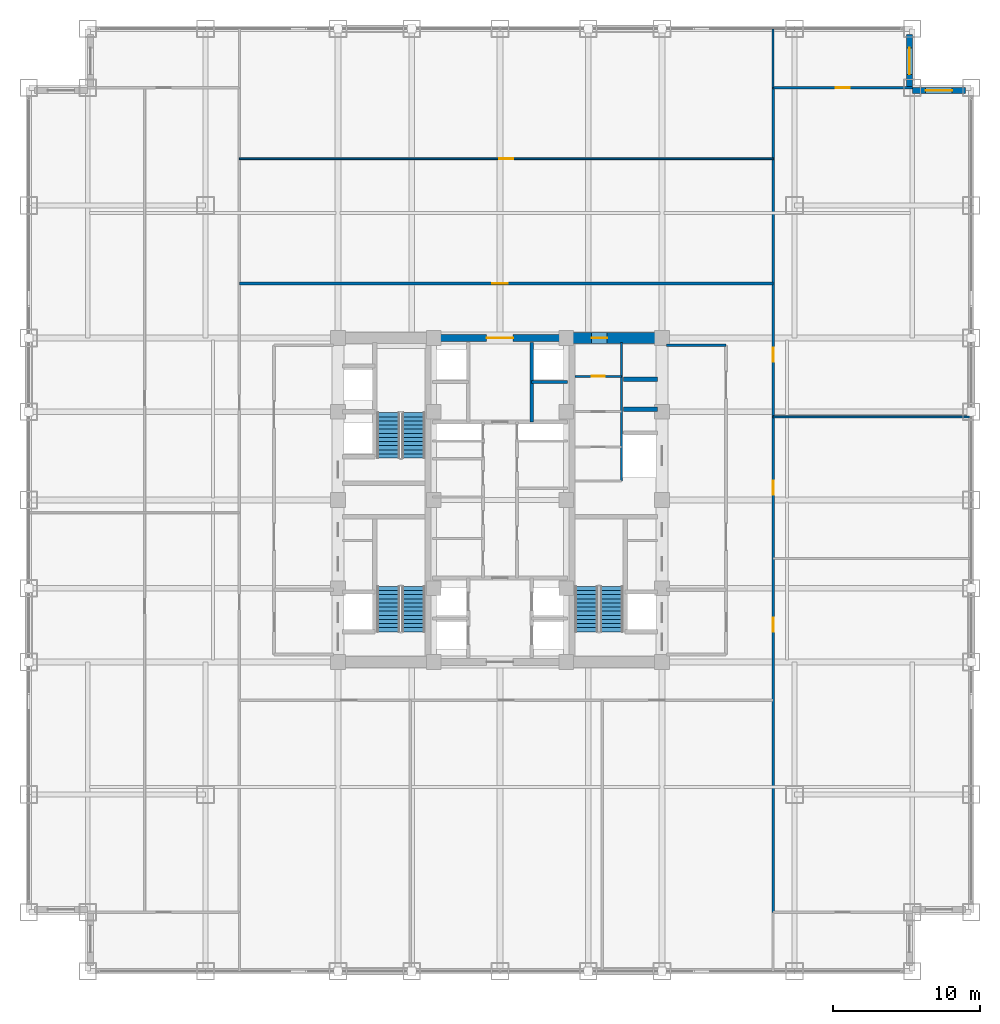
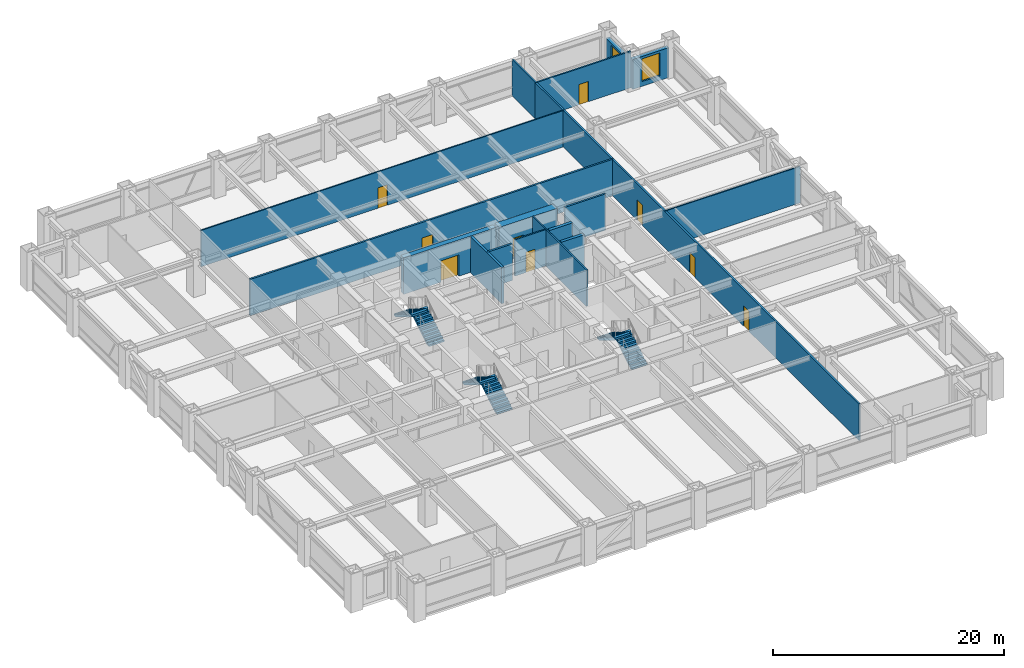
# One storey, part 26 of 27: 17 walls, 9 doors, 6 stair flights, 2 windows, 11 openings, 3 elements without a shape of their own.
"""IFC4 building model written with IfcOpenShell, lengths in metres."""

from ifc_helpers import new_model, si_unit, direction, frame, frame_2d, origin, place, context, subcontext, project, spatial, polyline, rectangle, outline, extrude, source, transform, mapped, material, layer, layer_set, type_object, element, fill, aggregate, save


model = new_model("IFC4")

# Units and contexts
model_context = context("Model", 3, precision=1e-05, world=origin(), true_north=direction((0.0, 1.0)))
body_context = subcontext(model_context, "Body", "Model", "MODEL_VIEW")
ifc_project = project(units=[si_unit("LENGTHUNIT", "METRE"), si_unit("AREAUNIT", "SQUARE_METRE"), si_unit("VOLUMEUNIT", "CUBIC_METRE"), si_unit("PLANEANGLEUNIT", "RADIAN"), si_unit("MASSUNIT", "GRAM", prefix="KILO")], contexts=[model_context])

# Site, building, storey
site_placement = place(None, origin())
site = spatial("IfcSite", under=ifc_project, at=site_placement, CompositionType="ELEMENT")
building_placement = place(site_placement, origin())
building = spatial("IfcBuilding", under=site, at=building_placement, Name="Khorayat Bourse Tower", CompositionType="ELEMENT")
storey_placement = place(building_placement, frame((0.0, 0.0, 103.699951171875)))
storey = spatial("IfcBuildingStorey", under=building, at=storey_placement, Name="L23", CompositionType="ELEMENT", Elevation=103.699951171875)

# Wall, opening, door
ifc_material_1 = material(Name="Concrete C72/90", Category="concrete")
ifc_layer_1 = layer(ifc_material_1, 0.75)
ifc_layer_set_1 = layer_set([ifc_layer_1], Name="Concrete C72/90")
wall_type_1 = type_object("IfcWallType", Name="WAL-CORE-750", PredefinedType="SHEAR", material=ifc_layer_set_1)
shared_shape_1 = source(origin(), body_context, "Body", "SweptSolid", [
    extrude(rectangle(XDim=5.849853515625, YDim=0.75, at=frame_2d((2.9248046875, 0.0))), origin(), (0.0, 0.0, 1.0), 3.840087890625),
])
wall_1_placement = place(storey_placement, frame((4.85009765625, 11.0, 0.0), z_axis=(0.0, 0.0, 1.0), x_axis=(1.0, 0.0, 0.0)))
wall_1 = element("IfcWall", 1, at=wall_1_placement, inside=storey, type_object=wall_type_1, Name="L23 Core Shear Wall PIER-EN", PredefinedType="SHEAR", context=body_context, shape_type="MappedRepresentation", body=[
    mapped(shared_shape_1, transform((0.0, 0.0, 0.0), scale=1.0)),
])
shared_shape_2 = source(origin(), body_context, "Body", "SweptSolid", [
    extrude(rectangle(XDim=1.050048828125, YDim=2.199951171875, at=frame_2d((0.52490234375, 1.10009765625))), frame((0.0, 0.385009765625, 0.0), z_axis=(0.0, -1.0, 0.0), x_axis=(1.0, 0.0, 0.0)), (0.0, 0.0, 1.0), 0.77001953125),
])
opening_1_placement = place(wall_1_placement, frame((1.375, 0.0, 0.0)))
opening_1 = element("IfcOpeningElement", 2, at=opening_1_placement, cuts=wall_1, Name="Opening DI-04", PredefinedType="OPENING", context=body_context, shape_type="MappedRepresentation", body=[
    mapped(shared_shape_2, transform((0.0, 0.0, 0.0), scale=1.0)),
])
ifc_material_2 = material(Name="Fire-rated oak veneer suite entrance door")
door_type_1 = type_object("IfcDoorType", Name="DR-INT-SUITE-1050", OperationType="NOTDEFINED", PredefinedType="DOOR", material=ifc_material_2)
shared_shape_3 = source(origin(), body_context, "Body", "SweptSolid", [
    extrude(rectangle(XDim=1.050048828125, YDim=2.199951171875, at=frame_2d((0.52490234375, 1.10009765625))), frame((0.0, 0.02490234375, 0.0), z_axis=(0.0, -1.0, 0.0), x_axis=(1.0, 0.0, 0.0)), (0.0, 0.0, 1.0), 0.050048828125),
])
door_1_placement = place(opening_1_placement, origin())
door_1 = element("IfcDoor", 3, at=door_1_placement, inside=storey, type_object=door_type_1, Name="L23 Core Washroom Lobby Door", OperationType="SINGLE_SWING_LEFT", OverallHeight=2.199951171875, OverallWidth=1.050048828125, PredefinedType="DOOR", context=body_context, shape_type="MappedRepresentation", body=[
    mapped(shared_shape_3, transform((0.0, 0.0, 0.0), scale=1.0)),
])
fill(opening_1, door_1)

ifc_material_3 = material(Name="Concrete C52/65", Category="concrete")
ifc_layer_2 = layer(ifc_material_3, 0.5)
ifc_layer_set_2 = layer_set([ifc_layer_2], Name="Concrete C52/65")
wall_type_2 = type_object("IfcWallType", Name="WAL-CORE-500", PredefinedType="SHEAR", material=ifc_layer_set_2)
shared_shape_4 = source(origin(), body_context, "Body", "SweptSolid", [
    extrude(rectangle(XDim=9.2001953125, YDim=0.5, at=frame_2d((4.60009765625, 0.0))), origin(), (0.0, 0.0, 1.0), 3.840087890625),
])
wall_2_placement = place(storey_placement, frame((-4.60009765625, 11.0, 0.0), z_axis=(0.0, 0.0, 1.0), x_axis=(1.0, 0.0, 0.0)))
wall_2 = element("IfcWall", 4, at=wall_2_placement, inside=storey, type_object=wall_type_2, Name="L23 Core Shear Wall CORE-N", PredefinedType="SHEAR", context=body_context, shape_type="MappedRepresentation", body=[
    mapped(shared_shape_4, transform((0.0, 0.0, 0.0), scale=1.0)),
])
shared_shape_5 = source(origin(), body_context, "Body", "SweptSolid", [
    extrude(rectangle(XDim=1.800048828125, YDim=2.25, at=frame_2d((0.89990234375, 1.125))), frame((0.0, 0.260009765625, 0.0), z_axis=(0.0, -1.0, 0.0), x_axis=(1.0, 0.0, 0.0)), (0.0, 0.0, 1.0), 0.52001953125),
])
opening_2_placement = place(wall_2_placement, frame((3.699951171875, 0.0, 0.0)))
opening_2 = element("IfcOpeningElement", 5, at=opening_2_placement, cuts=wall_2, Name="Opening DI-03", PredefinedType="OPENING", context=body_context, shape_type="MappedRepresentation", body=[
    mapped(shared_shape_5, transform((0.0, 0.0, 0.0), scale=1.0)),
])
ifc_material_4 = material(Name="Fire-rated hardwood vision-panel double leaf", Category="wood")
door_type_2 = type_object("IfcDoorType", Name="DR-INT-CORR-1800", OperationType="NOTDEFINED", PredefinedType="DOOR", material=ifc_material_4)
shared_shape_6 = source(origin(), body_context, "Body", "SweptSolid", [
    extrude(rectangle(XDim=1.800048828125, YDim=2.25, at=frame_2d((0.89990234375, 1.125))), frame((0.0, 0.02490234375, 0.0), z_axis=(0.0, -1.0, 0.0), x_axis=(1.0, 0.0, 0.0)), (0.0, 0.0, 1.0), 0.050048828125),
])
door_2_placement = place(opening_2_placement, origin())
door_2 = element("IfcDoor", 6, at=door_2_placement, inside=storey, type_object=door_type_2, Name="L23 Mid-Rise Lift Lobby Door", OperationType="SINGLE_SWING_RIGHT", OverallHeight=2.25, OverallWidth=1.800048828125, PredefinedType="DOOR", context=body_context, shape_type="MappedRepresentation", body=[
    mapped(shared_shape_6, transform((0.0, 0.0, 0.0), scale=1.0)),
])
fill(opening_2, door_2)

# Wall, opening, window
ifc_material_5 = material(Name="Precast concrete C45/55", Category="concrete")
ifc_layer_3 = layer(ifc_material_5, 0.3798828125)
ifc_layer_set_3 = layer_set([ifc_layer_3], Name="Precast concrete C45/55")
wall_type_3 = type_object("IfcWallType", Name="WAL-EXT-STONE-380", PredefinedType="STANDARD", material=ifc_layer_set_3)
shared_shape_7 = source(origin(), body_context, "Body", "SweptSolid", [
    extrude(rectangle(XDim=3.6201171875, YDim=0.3798828125, at=frame_2d((1.81005859375, 0.0))), origin(), (0.0, 0.0, 1.0), 3.14501953125),
])
wall_3_placement = place(storey_placement, frame((28.0, 27.81005859375, 0.0), z_axis=(0.0, 0.0, 1.0), x_axis=(1.0, 0.0, 0.0)))
wall_3 = element("IfcWall", 7, at=wall_3_placement, inside=storey, type_object=wall_type_3, Name="L23 Re-Entrant Notch Limestone Wall NE-H", PredefinedType="STANDARD", context=body_context, shape_type="MappedRepresentation", body=[
    mapped(shared_shape_7, transform((0.0, 0.0, 0.0), scale=1.0)),
])
shared_shape_8 = source(origin(), body_context, "Body", "SweptSolid", [
    extrude(rectangle(XDim=1.800048828125, YDim=2.39990234375, at=frame_2d((0.89990234375, 1.199951171875))), frame((0.0, 0.199951171875, 0.0), z_axis=(0.0, -1.0, 0.0), x_axis=(1.0, 0.0, 0.0)), (0.0, 0.0, 1.0), 0.39990234375),
])
opening_3_placement = place(wall_3_placement, frame((0.909912109375, 0.0, 0.5)))
opening_3 = element("IfcOpeningElement", 8, at=opening_3_placement, cuts=wall_3, Name="Opening WN-04", PredefinedType="OPENING", context=body_context, shape_type="MappedRepresentation", body=[
    mapped(shared_shape_8, transform((0.0, 0.0, 0.0), scale=1.0)),
])
ifc_material_6 = material(Name="Low-E acoustic laminated double glazing", Category="glass")
window_type = type_object("IfcWindowType", Name="WIN-NOTCH-1800x2400", PartitioningType="SINGLE_PANEL", PredefinedType="WINDOW", material=ifc_material_6)
shared_shape_9 = source(origin(), body_context, "Body", "SweptSolid", [
    extrude(rectangle(XDim=1.800048828125, YDim=2.39990234375, at=frame_2d((0.89990234375, 1.199951171875))), frame((0.0, 0.030029296875, 0.0), z_axis=(0.0, -1.0, 0.0), x_axis=(1.0, 0.0, 0.0)), (0.0, 0.0, 1.0), 0.06005859375),
])
window_1_placement = place(opening_3_placement, origin())
window_1 = element("IfcWindow", 9, at=window_1_placement, inside=storey, type_object=window_type, Name="L23 Facade Window 1", OverallHeight=2.39990234375, OverallWidth=1.800048828125, PartitioningType="SINGLE_PANEL", PredefinedType="WINDOW", context=body_context, shape_type="MappedRepresentation", body=[
    mapped(shared_shape_9, transform((0.0, 0.0, 0.0), scale=1.0)),
])
fill(opening_3, window_1)

wall_4_placement = place(storey_placement, frame((27.81005859375, 28.0, 0.0), z_axis=(0.0, 0.0, 1.0), x_axis=(0.0, 1.0, 0.0)))
wall_4 = element("IfcWall", 10, at=wall_4_placement, inside=storey, type_object=wall_type_3, Name="L23 Re-Entrant Notch Limestone Wall NE-V", PredefinedType="STANDARD", context=body_context, shape_type="MappedRepresentation", body=[
    mapped(shared_shape_7, transform((0.0, 0.0, 0.0), scale=1.0)),
])
opening_4_placement = place(wall_4_placement, frame((0.909912109375, 0.0, 0.5)))
opening_4 = element("IfcOpeningElement", 11, at=opening_4_placement, cuts=wall_4, Name="Opening WN-04", PredefinedType="OPENING", context=body_context, shape_type="MappedRepresentation", body=[
    mapped(shared_shape_8, transform((0.0, 0.0, 0.0), scale=1.0)),
])
window_2_placement = place(opening_4_placement, origin())
window_2 = element("IfcWindow", 12, at=window_2_placement, inside=storey, type_object=window_type, Name="L23 Facade Window 1", OverallHeight=2.39990234375, OverallWidth=1.800048828125, PartitioningType="SINGLE_PANEL", PredefinedType="WINDOW", context=body_context, shape_type="MappedRepresentation", body=[
    mapped(shared_shape_9, transform((0.0, 0.0, 0.0), scale=1.0)),
])
fill(opening_4, window_2)

# Walls
ifc_material_7 = material(Name="Concrete C50/60", Category="concrete")
ifc_layer_4 = layer(ifc_material_7, 0.300048828125)
ifc_layer_set_4 = layer_set([ifc_layer_4], Name="Concrete C50/60")
wall_type_4 = type_object("IfcWallType", Name="WAL-SHAFT-300", PredefinedType="SHEAR", material=ifc_layer_set_4)
shared_shape_10 = source(origin(), body_context, "Body", "SweptSolid", [
    extrude(rectangle(XDim=2.300048828125, YDim=0.300048828125, at=frame_2d((1.14990234375, 0.0))), origin(), (0.0, 0.0, 1.0), 3.840087890625),
])
for number, where, z_axis, x_axis, name in (
    (13, (8.39990234375, 6.14990234375, 0.0), (0.0, 0.0, 1.0), (1.0, 0.0, 0.0), "L23 Partition WAL-L23-EPIER-H3S"),
    (14, (8.39990234375, 8.199951171875, 0.0), (0.0, 0.0, 1.0), (1.0, 0.0, 0.0), "L23 Partition WAL-L23-EPIER-H34"),
):
    element("IfcWall", number, at=place(storey_placement, frame(where, z_axis=z_axis, x_axis=x_axis)), inside=storey, type_object=wall_type_4, Name=name, PredefinedType="SHEAR", context=body_context, shape_type="MappedRepresentation", body=[
        mapped(shared_shape_10, transform((0.0, 0.0, 0.0), scale=1.0)),
    ])
ifc_material_8 = material(Name="Moisture-resistant masonry partition", Category="masonry")
ifc_layer_5 = layer(ifc_material_8, 0.139892578125)
ifc_layer_set_5 = layer_set([ifc_layer_5], Name="Moisture-resistant masonry partition")
wall_type_5 = type_object("IfcWallType", Name="WAL-PART-WET-140", PredefinedType="PARTITIONING", material=ifc_layer_set_5)
shared_shape_11 = source(origin(), body_context, "Body", "SweptSolid", [
    extrude(rectangle(XDim=9.39990234375, YDim=0.139892578125, at=frame_2d((4.699951171875, 0.0))), origin(), (0.0, 0.0, 1.0), 3.840087890625),
])
wall_5_placement = place(storey_placement, frame((8.25, 1.300048828125, 0.0), z_axis=(0.0, 0.0, 1.0), x_axis=(0.0, 1.0, 0.0)))
element("IfcWall", 15, at=wall_5_placement, inside=storey, type_object=wall_type_5, Name="L23 Partition WAL-L23-ECORE-E", PredefinedType="PARTITIONING", context=body_context, shape_type="MappedRepresentation", body=[
    mapped(shared_shape_11, transform((0.0, 0.0, 0.0), scale=1.0)),
])

# Wall, opening, door
shared_shape_12 = source(origin(), body_context, "Body", "SweptSolid", [
    extrude(rectangle(XDim=3.14990234375, YDim=0.139892578125, at=frame_2d((1.574951171875, 0.0))), origin(), (0.0, 0.0, 1.0), 3.840087890625),
])
wall_6_placement = place(storey_placement, frame((5.10009765625, 8.39990234375, 0.0), z_axis=(0.0, 0.0, 1.0), x_axis=(1.0, 0.0, 0.0)))
wall_6 = element("IfcWall", 16, at=wall_6_placement, inside=storey, type_object=wall_type_5, Name="L23 Partition WAL-L23-ECW-TOP", PredefinedType="PARTITIONING", context=body_context, shape_type="MappedRepresentation", body=[
    mapped(shared_shape_12, transform((0.0, 0.0, 0.0), scale=1.0)),
])
shared_shape_13 = source(origin(), body_context, "Body", "SweptSolid", [
    extrude(rectangle(XDim=0.89990234375, YDim=2.14990234375, at=frame_2d((0.449951171875, 1.074951171875))), frame((0.0, 0.079833984375, 0.0), z_axis=(0.0, -1.0, 0.0), x_axis=(1.0, 0.0, 0.0)), (0.0, 0.0, 1.0), 0.159912109375),
])
opening_5_placement = place(wall_6_placement, frame((1.1298828125, 0.0, 0.0)))
opening_5 = element("IfcOpeningElement", 17, at=opening_5_placement, cuts=wall_6, Name="Opening DI-06", PredefinedType="OPENING", context=body_context, shape_type="MappedRepresentation", body=[
    mapped(shared_shape_13, transform((0.0, 0.0, 0.0), scale=1.0)),
])
ifc_material_9 = material(Name="Moisture-resistant laminate washroom door")
door_type_3 = type_object("IfcDoorType", Name="DR-INT-WC-900", OperationType="NOTDEFINED", PredefinedType="DOOR", material=ifc_material_9)
shared_shape_14 = source(origin(), body_context, "Body", "SweptSolid", [
    extrude(rectangle(XDim=0.89990234375, YDim=2.14990234375, at=frame_2d((0.449951171875, 1.074951171875))), frame((0.0, 0.02490234375, 0.0), z_axis=(0.0, -1.0, 0.0), x_axis=(1.0, 0.0, 0.0)), (0.0, 0.0, 1.0), 0.050048828125),
])
door_3_placement = place(opening_5_placement, origin())
door_3 = element("IfcDoor", 18, at=door_3_placement, inside=storey, type_object=door_type_3, Name="L23 Accessible WC Door", OperationType="SINGLE_SWING_LEFT", OverallHeight=2.14990234375, OverallWidth=0.89990234375, PredefinedType="DOOR", context=body_context, shape_type="MappedRepresentation", body=[
    mapped(shared_shape_14, transform((0.0, 0.0, 0.0), scale=1.0)),
])
fill(opening_5, door_3)

# Walls
ifc_material_10 = material(Name="Gypsum plasterboard acoustic stud wall")
ifc_layer_6 = layer(ifc_material_10, 0.179931640625)
ifc_layer_set_6 = layer_set([ifc_layer_6], Name="Gypsum plasterboard acoustic stud wall")
wall_type_6 = type_object("IfcWallType", Name="WAL-PART-CORR-180", PredefinedType="PARTITIONING", material=ifc_layer_set_6)
shared_shape_15 = source(origin(), body_context, "Body", "SweptSolid", [
    extrude(rectangle(XDim=4.050048828125, YDim=0.179931640625, at=frame_2d((2.02490234375, 0.0))), origin(), (0.0, 0.0, 1.0), 3.840087890625),
])
wall_7_placement = place(storey_placement, frame((11.300048828125, 10.5, 0.0), z_axis=(0.0, 0.0, 1.0), x_axis=(1.0, 0.0, 0.0)))
element("IfcWall", 19, at=wall_7_placement, inside=storey, type_object=wall_type_6, Name="L23 Partition WAL-L23-ELOB-N", PredefinedType="PARTITIONING", context=body_context, shape_type="MappedRepresentation", body=[
    mapped(shared_shape_15, transform((0.0, 0.0, 0.0), scale=1.0)),
])
shared_shape_16 = source(origin(), body_context, "Body", "SweptSolid", [
    extrude(rectangle(XDim=5.39990234375, YDim=0.25, at=frame_2d((2.699951171875, 0.0))), origin(), (0.0, 0.0, 1.0), 3.840087890625),
])
wall_8_placement = place(storey_placement, frame((2.14990234375, 5.300048828125, 0.0), z_axis=(0.0, 0.0, 1.0), x_axis=(0.0, 1.0, 0.0)))
element("IfcWall", 20, at=wall_8_placement, inside=storey, type_object=wall_type_4, Name="L23 Partition WAL-L23-B2-E", PredefinedType="SHEAR", context=body_context, shape_type="MappedRepresentation", body=[
    mapped(shared_shape_16, transform((0.0, 0.0, 0.0), scale=1.0)),
])
shared_shape_17 = source(origin(), body_context, "Body", "SweptSolid", [
    extrude(rectangle(XDim=2.4501953125, YDim=0.199951171875, at=frame_2d((1.22509765625, 0.0))), origin(), (0.0, 0.0, 1.0), 3.840087890625),
])
wall_9_placement = place(storey_placement, frame((2.14990234375, 8.0, 0.0), z_axis=(0.0, 0.0, 1.0), x_axis=(1.0, 0.0, 0.0)))
element("IfcWall", 21, at=wall_9_placement, inside=storey, type_object=wall_type_4, Name="L23 Partition WAL-L23-B2-ME", PredefinedType="SHEAR", context=body_context, shape_type="MappedRepresentation", body=[
    mapped(shared_shape_17, transform((0.0, 0.0, 0.0), scale=1.0)),
])
ifc_material_11 = material(Name="Gypsum plasterboard twin-frame partition")
ifc_layer_7 = layer(ifc_material_11, 0.14990234375)
ifc_layer_set_7 = layer_set([ifc_layer_7], Name="Gypsum plasterboard twin-frame partition")
wall_type_7 = type_object("IfcWallType", Name="WAL-PART-SUITE-150", PredefinedType="PARTITIONING", material=ifc_layer_set_7)
shared_shape_18 = source(origin(), body_context, "Body", "SweptSolid", [
    extrude(rectangle(XDim=4.0, YDim=0.14990234375, at=frame_2d((2.0, 0.0))), origin(), (0.0, 0.0, 1.0), 3.840087890625),
])
wall_10_placement = place(storey_placement, frame((18.550048828125, 28.0, 0.0), z_axis=(0.0, 0.0, 1.0), x_axis=(0.0, 1.0, 0.0)))
element("IfcWall", 22, at=wall_10_placement, inside=storey, type_object=wall_type_7, Name="L23 Partition WAL-L23-NCE-END", PredefinedType="PARTITIONING", context=body_context, shape_type="MappedRepresentation", body=[
    mapped(shared_shape_18, transform((0.0, 0.0, 0.0), scale=1.0)),
])

# Wall, openings, doors
shared_shape_19 = source(origin(), body_context, "Body", "SweptSolid", [
    extrude(rectangle(XDim=56.0, YDim=0.179931640625, at=frame_2d((28.0, 0.0))), origin(), (0.0, 0.0, 1.0), 3.840087890625),
])
wall_11_placement = place(storey_placement, frame((18.550048828125, -28.0, 0.0), z_axis=(0.0, 0.0, 1.0), x_axis=(0.0, 1.0, 0.0)))
wall_11 = element("IfcWall", 23, at=wall_11_placement, inside=storey, type_object=wall_type_6, Name="L23 Partition WAL-L23-ECORR", PredefinedType="PARTITIONING", context=body_context, shape_type="MappedRepresentation", body=[
    mapped(shared_shape_19, transform((0.0, 0.0, 0.0), scale=1.0)),
])
shared_shape_20 = source(origin(), body_context, "Body", "SweptSolid", [
    extrude(rectangle(XDim=0.949951171875, YDim=2.14990234375, at=frame_2d((0.47509765625, 1.074951171875))), frame((0.0, 0.099853515625, 0.0), z_axis=(0.0, -1.0, 0.0), x_axis=(1.0, 0.0, 0.0)), (0.0, 0.0, 1.0), 0.199951171875),
])
opening_6_placement = place(wall_11_placement, frame((19.035888671875, 0.0, 0.0)))
opening_6 = element("IfcOpeningElement", 24, at=opening_6_placement, cuts=wall_11, Name="Opening DI-05", PredefinedType="OPENING", context=body_context, shape_type="MappedRepresentation", body=[
    mapped(shared_shape_20, transform((0.0, 0.0, 0.0), scale=1.0)),
])
opening_7_placement = place(wall_11_placement, frame((28.35791015625, 0.0, 0.0)))
opening_7 = element("IfcOpeningElement", 25, at=opening_7_placement, cuts=wall_11, Name="Opening DI-05", PredefinedType="OPENING", context=body_context, shape_type="MappedRepresentation", body=[
    mapped(shared_shape_20, transform((0.0, 0.0, 0.0), scale=1.0)),
])
opening_8_placement = place(wall_11_placement, frame((37.39697265625, 0.0, 0.0)))
opening_8 = element("IfcOpeningElement", 26, at=opening_8_placement, cuts=wall_11, Name="Opening DI-05", PredefinedType="OPENING", context=body_context, shape_type="MappedRepresentation", body=[
    mapped(shared_shape_20, transform((0.0, 0.0, 0.0), scale=1.0)),
])
ifc_material_12 = material(Name="Acoustic oak veneer office door")
door_type_4 = type_object("IfcDoorType", Name="DR-INT-OFFICE-950", OperationType="NOTDEFINED", PredefinedType="DOOR", material=ifc_material_12)
shared_shape_21 = source(origin(), body_context, "Body", "SweptSolid", [
    extrude(rectangle(XDim=0.949951171875, YDim=2.14990234375, at=frame_2d((0.47509765625, 1.074951171875))), frame((0.0, 0.02490234375, 0.0), z_axis=(0.0, -1.0, 0.0), x_axis=(1.0, 0.0, 0.0)), (0.0, 0.0, 1.0), 0.050048828125),
])
door_4_placement = place(opening_6_placement, origin())
door_4 = element("IfcDoor", 27, at=door_4_placement, inside=storey, type_object=door_type_4, Name="L23 Floor Reception Concierge E1 Door", OperationType="SINGLE_SWING_RIGHT", OverallHeight=2.14990234375, OverallWidth=0.949951171875, PredefinedType="DOOR", context=body_context, shape_type="MappedRepresentation", body=[
    mapped(shared_shape_21, transform((0.0, 0.0, 0.0), scale=1.0)),
])
fill(opening_6, door_4)
door_5_placement = place(opening_7_placement, origin())
door_5 = element("IfcDoor", 28, at=door_5_placement, inside=storey, type_object=door_type_4, Name="L23 Equities Trading Desk E2 Door", OperationType="SINGLE_SWING_LEFT", OverallHeight=2.14990234375, OverallWidth=0.949951171875, PredefinedType="DOOR", context=body_context, shape_type="MappedRepresentation", body=[
    mapped(shared_shape_21, transform((0.0, 0.0, 0.0), scale=1.0)),
])
fill(opening_7, door_5)
door_6_placement = place(opening_8_placement, origin())
door_6 = element("IfcDoor", 29, at=door_6_placement, inside=storey, type_object=door_type_4, Name="L23 Executive Boardroom E3 Door", OperationType="SINGLE_SWING_RIGHT", OverallHeight=2.14990234375, OverallWidth=0.949951171875, PredefinedType="DOOR", context=body_context, shape_type="MappedRepresentation", body=[
    mapped(shared_shape_21, transform((0.0, 0.0, 0.0), scale=1.0)),
])
fill(opening_8, door_6)

# Wall, opening, door
shared_shape_22 = source(origin(), body_context, "Body", "SweptSolid", [
    extrude(rectangle(XDim=36.25, YDim=0.179931640625, at=frame_2d((18.125, 0.0))), origin(), (0.0, 0.0, 1.0), 3.840087890625),
])
wall_12_placement = place(storey_placement, frame((-17.699951171875, 14.699951171875, 0.0), z_axis=(0.0, 0.0, 1.0), x_axis=(1.0, 0.0, 0.0)))
wall_12 = element("IfcWall", 30, at=wall_12_placement, inside=storey, type_object=wall_type_6, Name="L23 Partition WAL-L23-NCORR", PredefinedType="PARTITIONING", context=body_context, shape_type="MappedRepresentation", body=[
    mapped(shared_shape_22, transform((0.0, 0.0, 0.0), scale=1.0)),
])
shared_shape_23 = source(origin(), body_context, "Body", "SweptSolid", [
    extrude(rectangle(XDim=1.050048828125, YDim=2.199951171875, at=frame_2d((0.52490234375, 1.10009765625))), frame((0.0, 0.099853515625, 0.0), z_axis=(0.0, -1.0, 0.0), x_axis=(1.0, 0.0, 0.0)), (0.0, 0.0, 1.0), 0.199951171875),
])
opening_9_placement = place(wall_12_placement, frame((17.175048828125, 0.0, 0.0)))
opening_9 = element("IfcOpeningElement", 31, at=opening_9_placement, cuts=wall_12, Name="Opening DI-04", PredefinedType="OPENING", context=body_context, shape_type="MappedRepresentation", body=[
    mapped(shared_shape_23, transform((0.0, 0.0, 0.0), scale=1.0)),
])
door_7_placement = place(opening_9_placement, origin())
door_7 = element("IfcDoor", 32, at=door_7_placement, inside=storey, type_object=door_type_1, Name="L23 Financial Training Classroom N1 Door", OperationType="SINGLE_SWING_RIGHT", OverallHeight=2.199951171875, OverallWidth=1.050048828125, PredefinedType="DOOR", context=body_context, shape_type="MappedRepresentation", body=[
    mapped(shared_shape_3, transform((0.0, 0.0, 0.0), scale=1.0)),
])
fill(opening_9, door_7)

ifc_material_13 = material(Name="Gypsum plasterboard partition")
ifc_layer_8 = layer(ifc_material_13, 0.125)
ifc_layer_set_8 = layer_set([ifc_layer_8], Name="Gypsum plasterboard partition")
wall_type_8 = type_object("IfcWallType", Name="WAL-PART-ROOM-125", PredefinedType="PARTITIONING", material=ifc_layer_set_8)
shared_shape_24 = source(origin(), body_context, "Body", "SweptSolid", [
    extrude(rectangle(XDim=36.25, YDim=0.125, at=frame_2d((18.125, 0.0))), origin(), (0.0, 0.0, 1.0), 3.840087890625),
])
wall_13_placement = place(storey_placement, frame((-17.699951171875, 23.177001953125, 0.0), z_axis=(0.0, 0.0, 1.0), x_axis=(1.0, 0.0, 0.0)))
wall_13 = element("IfcWall", 33, at=wall_13_placement, inside=storey, type_object=wall_type_8, Name="L23 Partition WAL-L23-NDP-1", PredefinedType="PARTITIONING", context=body_context, shape_type="MappedRepresentation", body=[
    mapped(shared_shape_24, transform((0.0, 0.0, 0.0), scale=1.0)),
])
shared_shape_25 = source(origin(), body_context, "Body", "SweptSolid", [
    extrude(rectangle(XDim=0.949951171875, YDim=2.14990234375, at=frame_2d((0.47509765625, 1.074951171875))), frame((0.0, 0.072509765625, 0.0), z_axis=(0.0, -1.0, 0.0), x_axis=(1.0, 0.0, 0.0)), (0.0, 0.0, 1.0), 0.14501953125),
])
opening_10_placement = place(wall_13_placement, frame((17.64990234375, 0.0, 0.0)))
opening_10 = element("IfcOpeningElement", 34, at=opening_10_placement, cuts=wall_13, Name="Opening DI-05", PredefinedType="OPENING", context=body_context, shape_type="MappedRepresentation", body=[
    mapped(shared_shape_25, transform((0.0, 0.0, 0.0), scale=1.0)),
])
door_8_placement = place(opening_10_placement, origin())
door_8 = element("IfcDoor", 35, at=door_8_placement, inside=storey, type_object=door_type_4, Name="L23 Market Committee Conference Room N1B Door", OperationType="SINGLE_SWING_RIGHT", OverallHeight=2.14990234375, OverallWidth=0.949951171875, PredefinedType="DOOR", context=body_context, shape_type="MappedRepresentation", body=[
    mapped(shared_shape_21, transform((0.0, 0.0, 0.0), scale=1.0)),
])
fill(opening_10, door_8)

# Wall
shared_shape_26 = source(origin(), body_context, "Body", "SweptSolid", [
    extrude(rectangle(XDim=13.449951171875, YDim=0.125, at=frame_2d((6.72509765625, 0.0))), origin(), (0.0, 0.0, 1.0), 3.840087890625),
])
wall_14_placement = place(storey_placement, frame((18.550048828125, 5.64404296875, 0.0), z_axis=(0.0, 0.0, 1.0), x_axis=(1.0, 0.0, 0.0)))
element("IfcWall", 36, at=wall_14_placement, inside=storey, type_object=wall_type_8, Name="L23 Partition WAL-L23-EDV-2", PredefinedType="PARTITIONING", context=body_context, shape_type="MappedRepresentation", body=[
    mapped(shared_shape_26, transform((0.0, 0.0, 0.0), scale=1.0)),
])

# Wall, opening, door
shared_shape_27 = source(origin(), body_context, "Body", "SweptSolid", [
    extrude(rectangle(XDim=9.449951171875, YDim=0.14990234375, at=frame_2d((4.72509765625, 0.0))), origin(), (0.0, 0.0, 1.0), 3.840087890625),
])
wall_15_placement = place(storey_placement, frame((18.550048828125, 28.0, 0.0), z_axis=(0.0, 0.0, 1.0), x_axis=(1.0, 0.0, 0.0)))
wall_15 = element("IfcWall", 37, at=wall_15_placement, inside=storey, type_object=wall_type_7, Name="L23 Partition WAL-L23-CNE", PredefinedType="PARTITIONING", context=body_context, shape_type="MappedRepresentation", body=[
    mapped(shared_shape_27, transform((0.0, 0.0, 0.0), scale=1.0)),
])
shared_shape_28 = source(origin(), body_context, "Body", "SweptSolid", [
    extrude(rectangle(XDim=0.949951171875, YDim=2.14990234375, at=frame_2d((0.47509765625, 1.074951171875))), frame((0.0, 0.0849609375, 0.0), z_axis=(0.0, -1.0, 0.0), x_axis=(1.0, 0.0, 0.0)), (0.0, 0.0, 1.0), 0.169921875),
])
opening_11_placement = place(wall_15_placement, frame((4.25, 0.0, 0.0)))
opening_11 = element("IfcOpeningElement", 38, at=opening_11_placement, cuts=wall_15, Name="Opening DI-05", PredefinedType="OPENING", context=body_context, shape_type="MappedRepresentation", body=[
    mapped(shared_shape_28, transform((0.0, 0.0, 0.0), scale=1.0)),
])
door_9_placement = place(opening_11_placement, origin())
door_9 = element("IfcDoor", 39, at=door_9_placement, inside=storey, type_object=door_type_4, Name="L23 North-East Corner Lounge Door", OperationType="SINGLE_SWING_LEFT", OverallHeight=2.14990234375, OverallWidth=0.949951171875, PredefinedType="DOOR", context=body_context, shape_type="MappedRepresentation", body=[
    mapped(shared_shape_21, transform((0.0, 0.0, 0.0), scale=1.0)),
])
fill(opening_11, door_9)

# Stair, stair flights
ifc_material_14 = material(Name="Concrete C40/50", Category="concrete")
stair_type = type_object("IfcStairType", Name="STR-CORE-1550", PredefinedType="HALF_TURN_STAIR", material=ifc_material_14)
stair_1_placement = place(storey_placement, origin())
stair_1 = element("IfcStair", 40, at=stair_1_placement, inside=storey, type_object=stair_type, Name="L23 Exit Stair ST-1", PredefinedType="HALF_TURN_STAIR")
stair_flight_type = type_object("IfcStairFlightType", Name="FLT-CORE-1550", PredefinedType="STRAIGHT", material=ifc_material_14)
shared_shape_29 = source(origin(), body_context, "Body", "SweptSolid", [
    extrude(outline(polyline([(0.0, 0.0), (0.0, 0.1708984375), (0.280029296875, 0.1708984375), (0.280029296875, 0.341552734375), (0.56005859375, 0.341552734375), (0.56005859375, 0.512451171875), (0.840087890625, 0.512451171875), (0.840087890625, 0.683349609375), (1.1201171875, 0.683349609375), (1.1201171875, 0.854248046875), (1.39990234375, 0.854248046875), (1.39990234375, 1.02490234375), (1.679931640625, 1.02490234375), (1.679931640625, 1.19580078125), (1.9599609375, 1.19580078125), (1.9599609375, 1.36669921875), (2.239990234375, 1.36669921875), (2.239990234375, 1.53759765625), (2.52001953125, 1.53759765625), (2.52001953125, 1.708251953125), (2.800048828125, 1.708251953125), (2.800048828125, 1.879150390625), (3.080078125, 1.879150390625), (3.080078125, 2.050048828125), (3.080078125, 1.66845703125), (0.345458984375, 0.0), (0.0, 0.0)])), frame((0.0, 0.77490234375, 0.0), z_axis=(0.0, -1.0, 0.0), x_axis=(1.0, 0.0, 0.0)), (0.0, 0.0, 1.0), 1.550048828125),
])
stair_flight_1_placement = place(storey_placement, frame((-5.875, -8.949951171875, 0.0), z_axis=(0.0, 0.0, 1.0), x_axis=(0.0, 1.0, 0.0)))
stair_flight_1 = element("IfcStairFlight", 41, at=stair_flight_1_placement, type_object=stair_flight_type, Name="ST-1 flight 1", NumberOfRisers=12, NumberOfTreads=11, PredefinedType="STRAIGHT", RiserHeight=0.170833333, TreadLength=0.28, context=body_context, shape_type="MappedRepresentation", body=[
    mapped(shared_shape_29, transform((0.0, 0.0, 0.0), scale=1.0)),
])
stair_flight_2_placement = place(storey_placement, frame((-7.574951171875, -5.8701171875, 2.050048828125), z_axis=(0.0, 0.0, 1.0), x_axis=(0.0, -1.0, 0.0)))
stair_flight_2 = element("IfcStairFlight", 42, at=stair_flight_2_placement, type_object=stair_flight_type, Name="ST-1 flight 2", NumberOfRisers=12, NumberOfTreads=11, PredefinedType="STRAIGHT", RiserHeight=0.170833333, TreadLength=0.28, context=body_context, shape_type="MappedRepresentation", body=[
    mapped(shared_shape_29, transform((0.0, 0.0, 0.0), scale=1.0)),
])
aggregate(stair_1, [stair_flight_1, stair_flight_2])

stair_2_placement = place(storey_placement, origin())
stair_2 = element("IfcStair", 43, at=stair_2_placement, inside=storey, type_object=stair_type, Name="L23 Exit Stair ST-2", PredefinedType="HALF_TURN_STAIR")
stair_flight_3_placement = place(storey_placement, frame((-5.875, 2.85009765625, 0.0), z_axis=(0.0, 0.0, 1.0), x_axis=(0.0, 1.0, 0.0)))
stair_flight_3 = element("IfcStairFlight", 44, at=stair_flight_3_placement, type_object=stair_flight_type, Name="ST-2 flight 1", NumberOfRisers=12, NumberOfTreads=11, PredefinedType="STRAIGHT", RiserHeight=0.170833333, TreadLength=0.28, context=body_context, shape_type="MappedRepresentation", body=[
    mapped(shared_shape_29, transform((0.0, 0.0, 0.0), scale=1.0)),
])
stair_flight_4_placement = place(storey_placement, frame((-7.574951171875, 5.929931640625, 2.050048828125), z_axis=(0.0, 0.0, 1.0), x_axis=(0.0, -1.0, 0.0)))
stair_flight_4 = element("IfcStairFlight", 45, at=stair_flight_4_placement, type_object=stair_flight_type, Name="ST-2 flight 2", NumberOfRisers=12, NumberOfTreads=11, PredefinedType="STRAIGHT", RiserHeight=0.170833333, TreadLength=0.28, context=body_context, shape_type="MappedRepresentation", body=[
    mapped(shared_shape_29, transform((0.0, 0.0, 0.0), scale=1.0)),
])
aggregate(stair_2, [stair_flight_3, stair_flight_4])

stair_3_placement = place(storey_placement, origin())
stair_3 = element("IfcStair", 46, at=stair_3_placement, inside=storey, type_object=stair_type, Name="L23 Exit Stair ST-3", PredefinedType="HALF_TURN_STAIR")
stair_flight_5_placement = place(storey_placement, frame((7.574951171875, -8.949951171875, 0.0), z_axis=(0.0, 0.0, 1.0), x_axis=(0.0, 1.0, 0.0)))
stair_flight_5 = element("IfcStairFlight", 47, at=stair_flight_5_placement, type_object=stair_flight_type, Name="ST-3 flight 1", NumberOfRisers=12, NumberOfTreads=11, PredefinedType="STRAIGHT", RiserHeight=0.170833333, TreadLength=0.28, context=body_context, shape_type="MappedRepresentation", body=[
    mapped(shared_shape_29, transform((0.0, 0.0, 0.0), scale=1.0)),
])
stair_flight_6_placement = place(storey_placement, frame((5.875, -5.8701171875, 2.050048828125), z_axis=(0.0, 0.0, 1.0), x_axis=(0.0, -1.0, 0.0)))
stair_flight_6 = element("IfcStairFlight", 48, at=stair_flight_6_placement, type_object=stair_flight_type, Name="ST-3 flight 2", NumberOfRisers=12, NumberOfTreads=11, PredefinedType="STRAIGHT", RiserHeight=0.170833333, TreadLength=0.28, context=body_context, shape_type="MappedRepresentation", body=[
    mapped(shared_shape_29, transform((0.0, 0.0, 0.0), scale=1.0)),
])
aggregate(stair_3, [stair_flight_5, stair_flight_6])

save(model, "model.ifc")
